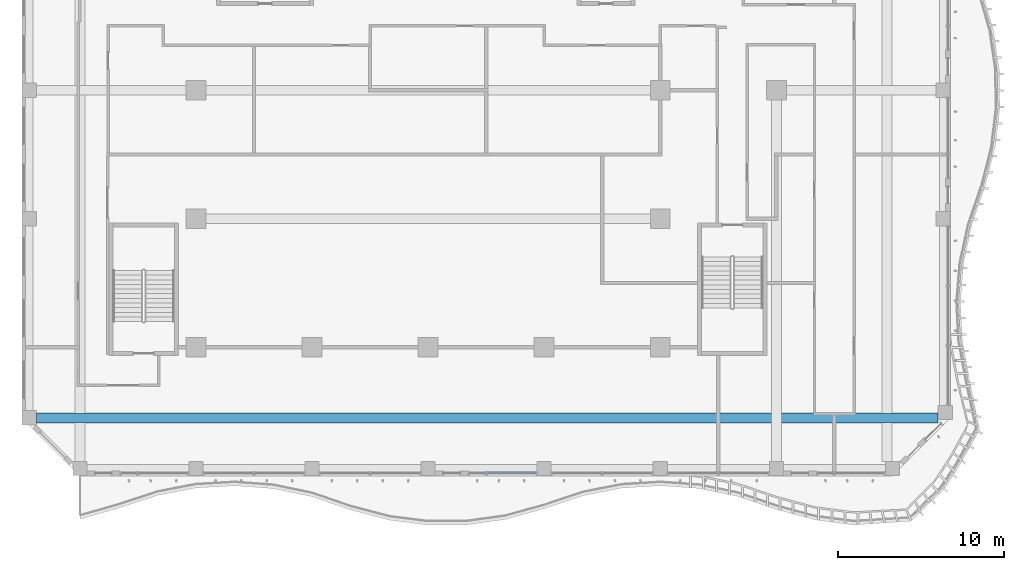
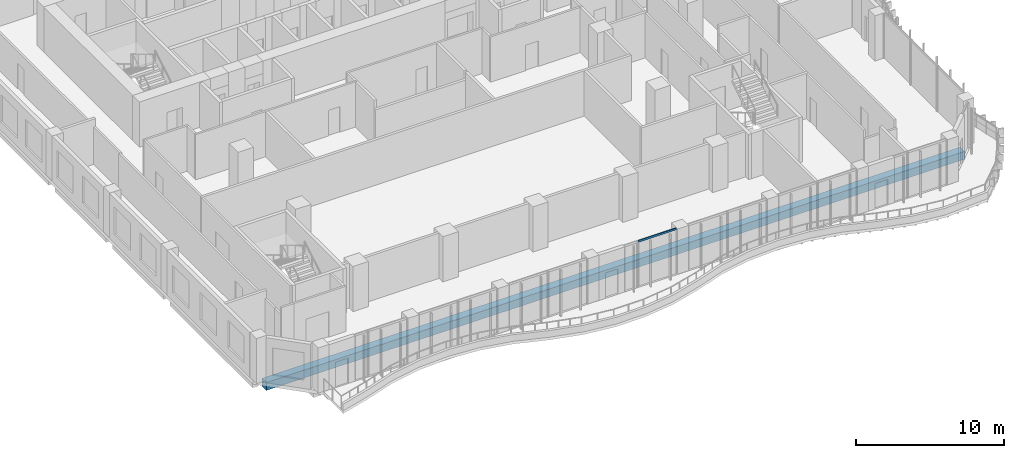
# One storey, part 3 of 27: 1 beam, 1 member, 1 element without a shape of its own.
"""IFC4 building model written with IfcOpenShell, lengths in metres."""

from ifc_helpers import new_model, si_unit, direction, frame, origin, origin_2d, place, context, subcontext, project, spatial, rectangle, extrude, source, transform, mapped, material, material_profile, profile_set, type_object, element, aggregate, save


model = new_model("IFC4")

# Units and contexts
model_context = context("Model", 3, precision=1e-05, world=origin(), true_north=direction((0.0, 1.0)))
body_context = subcontext(model_context, "Body", "Model", "MODEL_VIEW")
ifc_project = project(units=[si_unit("LENGTHUNIT", "METRE"), si_unit("AREAUNIT", "SQUARE_METRE"), si_unit("VOLUMEUNIT", "CUBIC_METRE"), si_unit("PLANEANGLEUNIT", "RADIAN"), si_unit("MASSUNIT", "GRAM", prefix="KILO")], contexts=[model_context])

# Site, building, storey
site_placement = place(None, origin())
site = spatial("IfcSite", under=ifc_project, at=site_placement, CompositionType="ELEMENT")
building_placement = place(site_placement, origin())
building = spatial("IfcBuilding", under=site, at=building_placement, Name="Kilnfold Tower and Market Hall", CompositionType="ELEMENT")
storey_placement = place(building_placement, frame((0.0, 0.0, 116.60009765625)))
storey = spatial("IfcBuildingStorey", under=building, at=storey_placement, Name="L27", CompositionType="ELEMENT", Elevation=116.60009765625)

# Beam
ifc_material_1 = material(Name="Concrete C45", Category="concrete")
ifc_material_profile_1 = material_profile(ifc_material_1, rectangle(XDim=0.60009765625, YDim=0.64990234375, at=origin_2d()), Name="RC 600x650")
ifc_profile_set_1 = profile_set([ifc_material_profile_1], Name="Concrete C45")
beam_type = type_object("IfcBeamType", Name="BEAM 600X650 C45", PredefinedType="BEAM", material=ifc_profile_set_1)
shared_shape_1 = source(origin(), body_context, "Body", "SweptSolid", [
    extrude(rectangle(XDim=0.60009765625, YDim=0.64990234375, at=origin_2d()), origin(), (0.0, 0.0, 1.0), 54.3818359375),
])
beam_placement = place(storey_placement, frame((-22.125, -19.5, -0.60498046875), z_axis=(1.0, 0.0, 0.0), x_axis=(0.0, 1.0, 0.0)))
element("IfcBeam", 1, at=beam_placement, inside=storey, type_object=beam_type, Name="Beam BB650-B3.59", PredefinedType="BEAM", context=body_context, shape_type="MappedRepresentation", body=[
    mapped(shared_shape_1, transform((0.0, 0.0, 0.0))),
])

# Curtain wall, member
ifc_material_2 = material(Name="Aluminium and double glazing", Category="aluminium")
curtain_wall_type = type_object("IfcCurtainWallType", Name="CW OF2 VALLEY GLAZING", PredefinedType="NOTDEFINED", material=ifc_material_2)
curtain_wall_placement = place(storey_placement, origin())
curtain_wall = element("IfcCurtainWall", 2, at=curtain_wall_placement, inside=storey, type_object=curtain_wall_type, Name="Curtain wall CW2 L27 S", PredefinedType="NOTDEFINED")
ifc_material_3 = material(Name="Aluminium", Category="aluminium")
ifc_material_profile_2 = material_profile(ifc_material_3, rectangle(XDim=0.06005859375, YDim=0.159912109375, at=origin_2d()), Name="TRANSOM 60x160")
ifc_profile_set_2 = profile_set([ifc_material_profile_2], Name="Aluminium")
member_type = type_object("IfcMemberType", Name="TRANSOM 60X160", PredefinedType="USERDEFINED", material=ifc_profile_set_2)
shared_shape_2 = source(origin(), body_context, "Body", "SweptSolid", [
    extrude(rectangle(XDim=0.06005859375, YDim=0.159912109375, at=origin_2d()), origin(), (0.0, 0.0, 1.0), 2.954833984375),
])
member_placement = place(storey_placement, frame((5.06005859375, -22.85009765625, 3.68994140625), z_axis=(1.0, 0.0, 0.0), x_axis=(0.0, 1.0, 0.0)))
member = element("IfcMember", 3, at=member_placement, type_object=member_type, Name="CW2 transom 1.2", ObjectType="TRANSOM", PredefinedType="USERDEFINED", context=body_context, shape_type="MappedRepresentation", body=[
    mapped(shared_shape_2, transform((0.0, 0.0, 0.0))),
])
aggregate(curtain_wall, [member])

save(model, "model.ifc")
